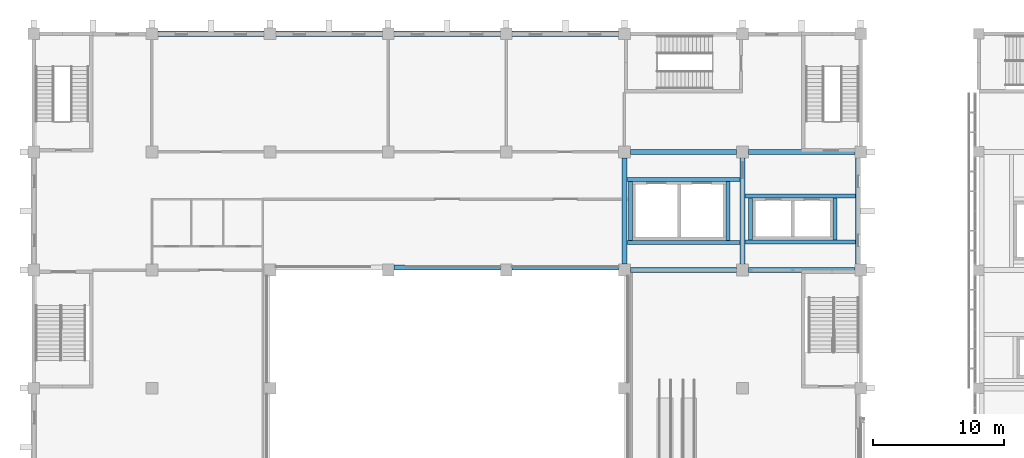
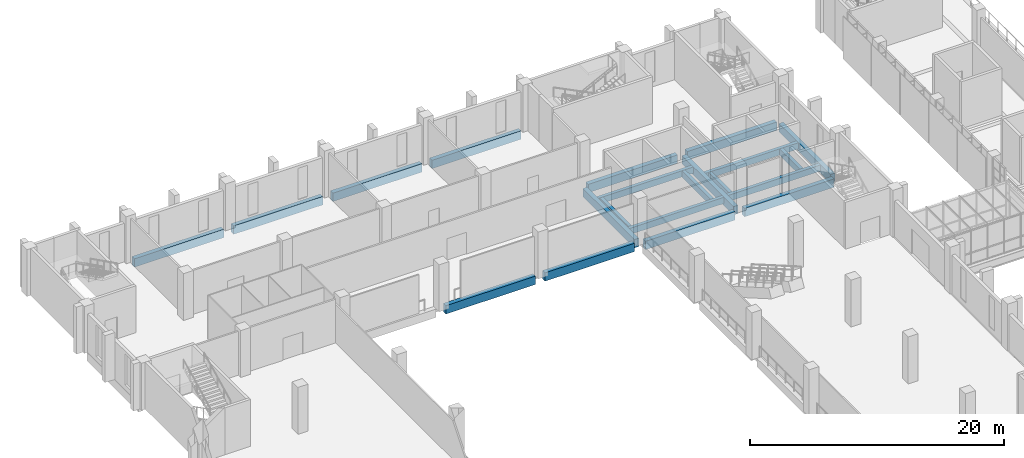
# One storey, part 14 of 88: 21 beams.
"""IFC4 building model written with IfcOpenShell, lengths in metres."""

from ifc_helpers import new_model, si_unit, direction, frame, origin, origin_2d, place, context, subcontext, project, spatial, rectangle, extrude, material, material_profile, profile_set, type_object, element, save


model = new_model("IFC4")

# Units and contexts
model_context = context("Model", 3, precision=1e-05, world=origin(), true_north=direction((0.0, 1.0)))
body_context = subcontext(model_context, "Body", "Model", "MODEL_VIEW")
ifc_project = project(units=[si_unit("LENGTHUNIT", "METRE"), si_unit("AREAUNIT", "SQUARE_METRE"), si_unit("VOLUMEUNIT", "CUBIC_METRE"), si_unit("PLANEANGLEUNIT", "RADIAN"), si_unit("MASSUNIT", "GRAM", prefix="KILO")], contexts=[model_context])

# Site, building, storey
site_placement = place(None, origin())
site = spatial("IfcSite", under=ifc_project, at=site_placement, CompositionType="ELEMENT")
building_placement = place(site_placement, origin())
building = spatial("IfcBuilding", under=site, at=building_placement, Name="Guidao Yard Department Store", CompositionType="ELEMENT")
storey_placement = place(building_placement, frame((0.0, 0.0, 6.0)))
storey = spatial("IfcBuildingStorey", under=building, at=storey_placement, Name="L01", CompositionType="ELEMENT", Elevation=6.0)

# Beams
ifc_material_1 = material(Name="Concrete C40", Category="concrete")
ifc_material_profile_1 = material_profile(ifc_material_1, rectangle(XDim=0.39990234375, YDim=0.800048828125, at=origin_2d()), Name="Edge beam 400 x 800 C40")
ifc_profile_set_1 = profile_set([ifc_material_profile_1], Name="Concrete C40")
beam_type_1 = type_object("IfcBeamType", Name="Edge beam 400 x 800 C40", PredefinedType="BEAM", material=ifc_profile_set_1)
for number, where, z_axis, x_axis, name in (
    (1, (27.449951171875, 90.199951171875, -0.39990234375), (1.0, 0.0, 0.0), (0.0, 1.0, 0.0), "Beam EB23"),
    (2, (36.449951171875, 90.199951171875, -0.39990234375), (1.0, 0.0, 0.0), (0.0, 1.0, 0.0), "Beam EB24"),
    (3, (45.449951171875, 90.0, -0.39990234375), (1.0, 0.0, 0.0), (0.0, 1.0, 0.0), "Beam EB91"),
    (4, (45.449951171875, 99.0, -0.39990234375), (1.0, 0.0, 0.0), (0.0, 1.0, 0.0), "Beam EB92"),
    (5, (45.0, 90.449951171875, -0.39990234375), (0.0, 1.0, 0.0), (-1.0, 0.0, 0.0), "Beam EB93"),
    (6, (54.0, 90.449951171875, -0.39990234375), (0.0, 1.0, 0.0), (-1.0, 0.0, 0.0), "Beam EB94"),
    (7, (54.449951171875, 90.0, -0.39990234375), (1.0, 0.0, 0.0), (0.0, 1.0, 0.0), "Beam EB95"),
    (8, (54.449951171875, 99.0, -0.39990234375), (1.0, 0.0, 0.0), (0.0, 1.0, 0.0), "Beam EB96"),
):
    element("IfcBeam", number, at=place(storey_placement, frame(where, z_axis=z_axis, x_axis=x_axis)), inside=storey, type_object=beam_type_1, Name=name, PredefinedType="BEAM", context=body_context, shape_type="SweptSolid", body=[
        extrude(rectangle(XDim=0.39990234375, YDim=0.800048828125, at=origin_2d()), origin(), (0.0, 0.0, 1.0), 8.10009765625),
    ])
ifc_material_2 = material(Name="Concrete C40", Category="concrete")
ifc_material_profile_2 = material_profile(ifc_material_2, rectangle(XDim=0.300048828125, YDim=0.60009765625, at=origin_2d()), Name="Opening beam 300 x 600 C40")
ifc_profile_set_2 = profile_set([ifc_material_profile_2], Name="Concrete C40")
beam_type_2 = type_object("IfcBeamType", Name="Opening beam 300 x 600 C40", PredefinedType="BEAM", material=ifc_profile_set_2)
for number, where, z_axis, x_axis, name in (
    (9, (45.199951171875, 92.10009765625, -0.300048828125), (1.0, 0.0, 0.0), (0.0, 1.0, 0.0), "Beam OB09"),
    (10, (45.199951171875, 96.89990234375, -0.300048828125), (1.0, 0.0, 0.0), (0.0, 1.0, 0.0), "Beam OB10"),
):
    element("IfcBeam", number, at=place(storey_placement, frame(where, z_axis=z_axis, x_axis=x_axis)), inside=storey, type_object=beam_type_2, Name=name, PredefinedType="BEAM", context=body_context, shape_type="SweptSolid", body=[
        extrude(rectangle(XDim=0.300048828125, YDim=0.60009765625, at=origin_2d()), origin(), (0.0, 0.0, 1.0), 8.60009765625),
    ])
for number, where, z_axis, x_axis, name in (
    (11, (45.449951171875, 92.25, -0.300048828125), (0.0, 1.0, 0.0), (-1.0, 0.0, 0.0), "Beam OB11"),
    (12, (52.89990234375, 92.25, -0.300048828125), (0.0, 1.0, 0.0), (-1.0, 0.0, 0.0), "Beam OB12"),
):
    element("IfcBeam", number, at=place(storey_placement, frame(where, z_axis=z_axis, x_axis=x_axis)), inside=storey, type_object=beam_type_2, Name=name, PredefinedType="BEAM", context=body_context, shape_type="SweptSolid", body=[
        extrude(rectangle(XDim=0.300048828125, YDim=0.60009765625, at=origin_2d()), origin(), (0.0, 0.0, 1.0), 4.5),
    ])
for number, where, z_axis, x_axis, name in (
    (13, (54.199951171875, 92.14990234375, -0.300048828125), (1.0, 0.0, 0.0), (0.0, 1.0, 0.0), "Beam OB13"),
    (14, (54.199951171875, 95.64990234375, -0.300048828125), (1.0, 0.0, 0.0), (0.0, 1.0, 0.0), "Beam OB14"),
):
    element("IfcBeam", number, at=place(storey_placement, frame(where, z_axis=z_axis, x_axis=x_axis)), inside=storey, type_object=beam_type_2, Name=name, PredefinedType="BEAM", context=body_context, shape_type="SweptSolid", body=[
        extrude(rectangle(XDim=0.300048828125, YDim=0.60009765625, at=origin_2d()), origin(), (0.0, 0.0, 1.0), 8.400146484375),
    ])
for number, where, z_axis, x_axis, name in (
    (15, (54.60009765625, 92.300048828125, -0.300048828125), (0.0, 1.0, 0.0), (-1.0, 0.0, 0.0), "Beam OB15"),
    (16, (61.050048828125, 92.300048828125, -0.300048828125), (0.0, 1.0, 0.0), (-1.0, 0.0, 0.0), "Beam OB16"),
):
    element("IfcBeam", number, at=place(storey_placement, frame(where, z_axis=z_axis, x_axis=x_axis)), inside=storey, type_object=beam_type_2, Name=name, PredefinedType="BEAM", context=body_context, shape_type="SweptSolid", body=[
        extrude(rectangle(XDim=0.300048828125, YDim=0.60009765625, at=origin_2d()), origin(), (0.0, 0.0, 1.0), 3.199951171875),
    ])
ifc_material_3 = material(Name="Concrete C40", Category="concrete")
ifc_material_profile_3 = material_profile(ifc_material_3, rectangle(XDim=0.39990234375, YDim=0.800048828125, at=origin_2d()), Name="Spandrel beam 400 x 800 C40")
ifc_profile_set_3 = profile_set([ifc_material_profile_3], Name="Concrete C40")
beam_type_3 = type_object("IfcBeamType", Name="Spandrel beam 400 x 800 C40", PredefinedType="SPANDREL", material=ifc_profile_set_3)
for number, where, z_axis, x_axis, name in (
    (17, (9.449951171875, 108.0, -0.39990234375), (1.0, 0.0, 0.0), (0.0, 1.0, 0.0), "Beam EB09"),
    (18, (18.449951171875, 108.0, -0.39990234375), (1.0, 0.0, 0.0), (0.0, 1.0, 0.0), "Beam EB10"),
    (19, (27.449951171875, 108.0, -0.39990234375), (1.0, 0.0, 0.0), (0.0, 1.0, 0.0), "Beam EB11"),
    (20, (36.449951171875, 108.0, -0.39990234375), (1.0, 0.0, 0.0), (0.0, 1.0, 0.0), "Beam EB12"),
    (21, (62.800048828125, 90.449951171875, -0.39990234375), (0.0, 1.0, 0.0), (-1.0, 0.0, 0.0), "Beam EB13"),
):
    element("IfcBeam", number, at=place(storey_placement, frame(where, z_axis=z_axis, x_axis=x_axis)), inside=storey, type_object=beam_type_3, Name=name, PredefinedType="SPANDREL", context=body_context, shape_type="SweptSolid", body=[
        extrude(rectangle(XDim=0.39990234375, YDim=0.800048828125, at=origin_2d()), origin(), (0.0, 0.0, 1.0), 8.10009765625),
    ])

save(model, "model.ifc")
